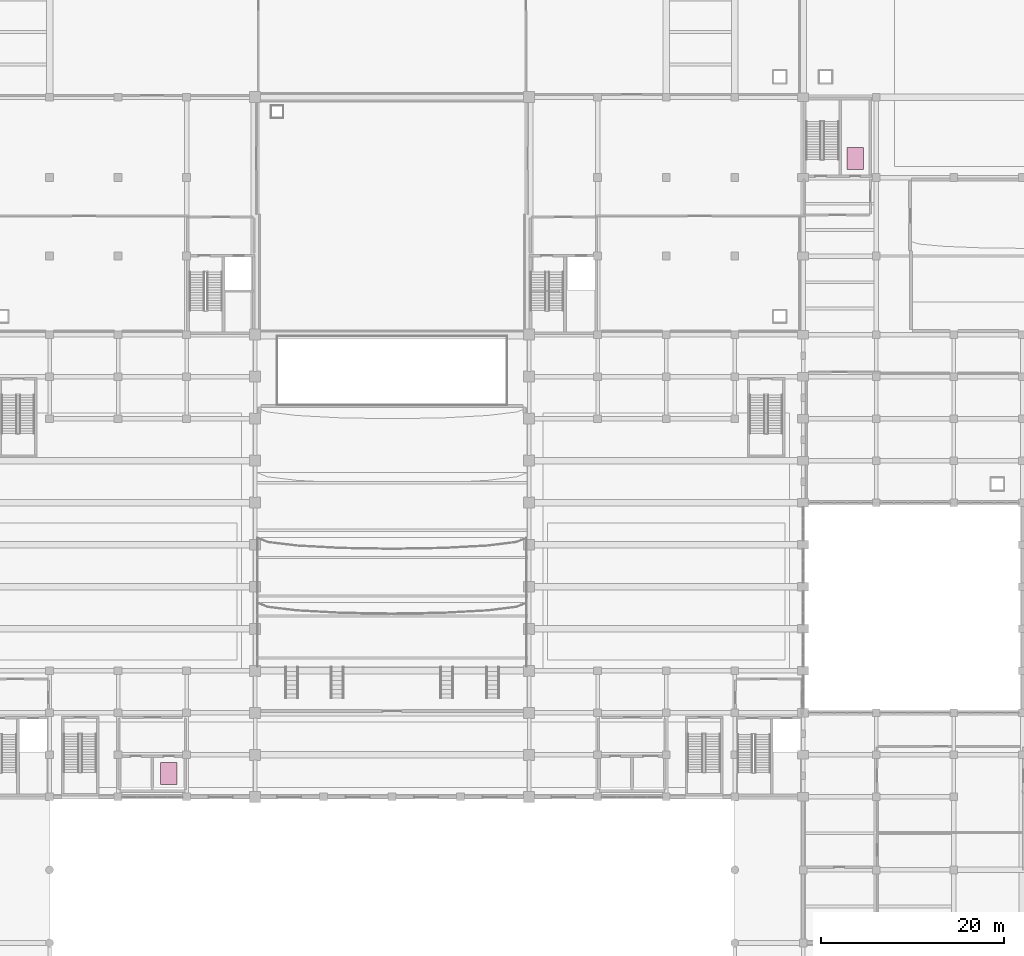
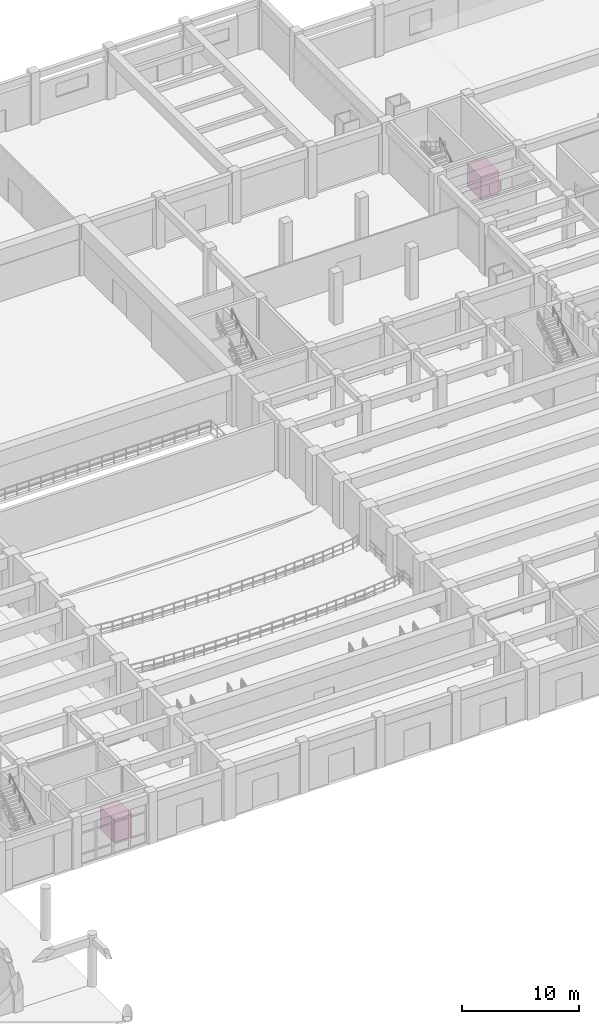
# One storey, part 84 of 84: 2 transport elements.
"""IFC4 building model written with IfcOpenShell, lengths in metres."""

from ifc_helpers import new_model, si_unit, direction, frame, origin, origin_2d, place, context, subcontext, project, spatial, rectangle, extrude, material, type_object, element, save


model = new_model("IFC4")

# Units and contexts
model_context = context("Model", 3, precision=1e-05, world=origin(), true_north=direction((0.0, 1.0)))
body_context = subcontext(model_context, "Body", "Model", "MODEL_VIEW")
ifc_project = project(units=[si_unit("LENGTHUNIT", "METRE"), si_unit("AREAUNIT", "SQUARE_METRE"), si_unit("VOLUMEUNIT", "CUBIC_METRE"), si_unit("PLANEANGLEUNIT", "RADIAN"), si_unit("MASSUNIT", "GRAM", prefix="KILO")], contexts=[model_context])

# Site, building, storey
site_placement = place(None, origin())
site = spatial("IfcSite", under=ifc_project, at=site_placement, CompositionType="ELEMENT")
building_placement = place(site_placement, origin())
building = spatial("IfcBuilding", under=site, at=building_placement, Name="Muzn Square Opera House", CompositionType="ELEMENT")
storey_placement = place(building_placement, origin())
storey = spatial("IfcBuildingStorey", under=building, at=storey_placement, Name="L00", CompositionType="ELEMENT", Elevation=0.0)

# Transport elements
ifc_material = material(Name="Brushed stainless steel", Category="metal")
transport_element_type = type_object("IfcTransportElementType", Name="Passenger Lift 1600kg", PredefinedType="ELEVATOR", material=ifc_material)
for number, where, z_axis, x_axis, name in (
    (1, (138.699951171875, 91.89990234375, 0.0), (0.0, 0.0, 1.0), (1.0, 0.0, 0.0), "Passenger Lift PL-5"),
    (2, (63.550048828125, 24.550048828125, 0.0), (0.0, 0.0, 1.0), (1.0, 0.0, 0.0), "Passenger Lift PL-6"),
):
    element("IfcTransportElement", number, at=place(storey_placement, frame(where, z_axis=z_axis, x_axis=x_axis)), inside=storey, type_object=transport_element_type, Name=name, PredefinedType="ELEVATOR", context=body_context, shape_type="SweptSolid", body=[
        extrude(rectangle(XDim=1.800048828125, YDim=2.39990234375, at=origin_2d()), origin(), (0.0, 0.0, 1.0), 2.39990234375),
    ])

save(model, "model.ifc")
